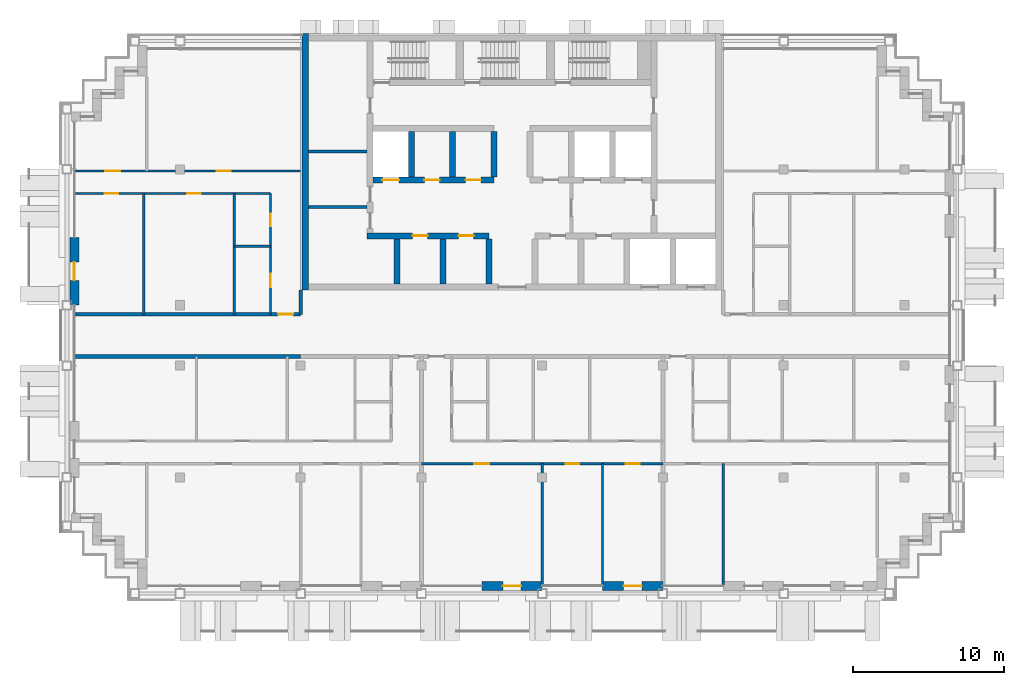
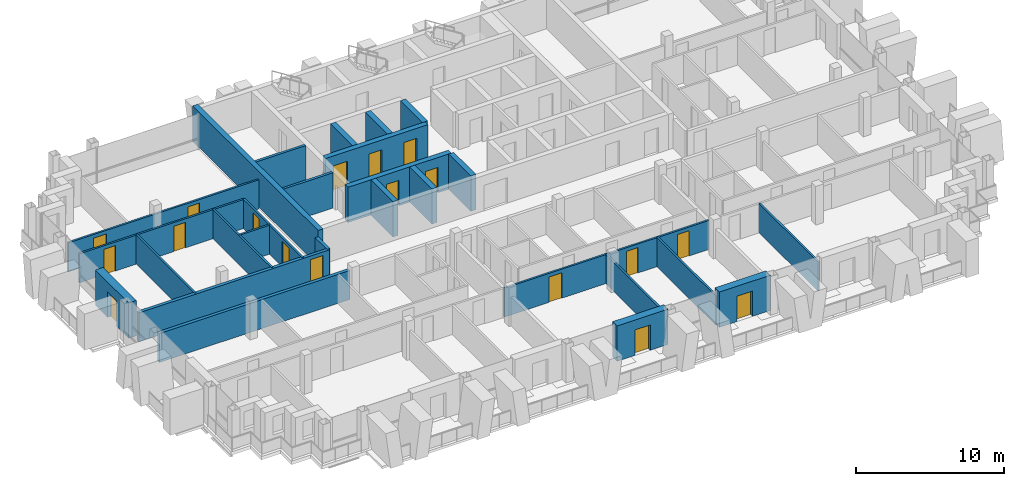
# One storey, part 8 of 15: 27 walls, 18 doors, 18 openings.
"""IFC4 building model written with IfcOpenShell, lengths in metres."""

from ifc_helpers import new_model, si_unit, direction, frame, frame_2d, origin, place, context, subcontext, project, spatial, rectangle, extrude, material, layer, layer_set, type_object, element, fill, save


model = new_model("IFC4")

# Units and contexts
model_context = context("Model", 3, precision=1e-05, world=origin(), true_north=direction((0.0, 1.0)))
body_context = subcontext(model_context, "Body", "Model", "MODEL_VIEW")
ifc_project = project(units=[si_unit("LENGTHUNIT", "METRE"), si_unit("AREAUNIT", "SQUARE_METRE"), si_unit("VOLUMEUNIT", "CUBIC_METRE"), si_unit("PLANEANGLEUNIT", "RADIAN"), si_unit("MASSUNIT", "GRAM", prefix="KILO")], contexts=[model_context])

# Site, building, storey
site_placement = place(None, origin())
site = spatial("IfcSite", under=ifc_project, at=site_placement, CompositionType="ELEMENT")
building_placement = place(site_placement, origin())
building = spatial("IfcBuilding", under=site, at=building_placement, Name="Vidyagriha Tower", CompositionType="ELEMENT")
storey_placement = place(building_placement, frame((0.0, 0.0, 226.800048828125)))
storey = spatial("IfcBuildingStorey", under=building, at=storey_placement, Name="L59", CompositionType="ELEMENT", Elevation=226.800048828125)

# Wall, opening, door
ifc_material_1 = material(Name="Precast concrete C40/50 with brick facing", Category="concrete")
ifc_layer_1 = layer(ifc_material_1, 0.60009765625)
ifc_layer_set_1 = layer_set([ifc_layer_1], Name="Precast concrete C40/50 with brick facing")
wall_type_1 = type_object("IfcWallType", Name="Brick-faced precast wall 600", PredefinedType="STANDARD", material=ifc_layer_set_1)
wall_1_placement = place(storey_placement, frame((-29.0, 6.5, 0.0), z_axis=(0.0, 0.0, 1.0), x_axis=(0.0, -1.0, 0.0)))
wall_1 = element("IfcWall", 1, at=wall_1_placement, inside=storey, type_object=wall_type_1, Name="Brick door bay wall L59 R16.3", PredefinedType="STANDARD", context=body_context, shape_type="SweptSolid", body=[
    extrude(rectangle(XDim=4.5, YDim=0.60009765625, at=frame_2d((2.25, 0.0))), origin(), (0.0, 0.0, 1.0), 2.919921875),
])
opening_1_placement = place(wall_1_placement, frame((1.64990234375, 0.0, 0.0)))
opening_1 = element("IfcOpeningElement", 2, at=opening_1_placement, cuts=wall_1, Name="Opening D59-60", PredefinedType="OPENING", context=body_context, shape_type="SweptSolid", body=[
    extrude(rectangle(XDim=1.199951171875, YDim=2.10009765625, at=frame_2d((0.60009765625, 1.050048828125))), frame((0.0, 0.31005859375, 0.0), z_axis=(0.0, -1.0, 0.0), x_axis=(1.0, 0.0, 0.0)), (0.0, 0.0, 1.0), 0.6201171875),
])
ifc_material_2 = material(Name="Aluminium framed glazed sliding door", Category="aluminium")
door_type_1 = type_object("IfcDoorType", Name="Balcony sliding door 1200x2100", OperationType="NOTDEFINED", PredefinedType="DOOR", material=ifc_material_2)
door_1_placement = place(opening_1_placement, origin())
door_1 = element("IfcDoor", 3, at=door_1_placement, inside=storey, type_object=door_type_1, Name="Door D59-60", OperationType="SLIDING_TO_LEFT", OverallHeight=2.10009765625, OverallWidth=1.199951171875, PredefinedType="DOOR", context=body_context, shape_type="SweptSolid", body=[
    extrude(rectangle(XDim=1.199951171875, YDim=2.10009765625, at=frame_2d((0.60009765625, 1.050048828125))), frame((0.0, 0.02490234375, 0.0), z_axis=(0.0, -1.0, 0.0), x_axis=(1.0, 0.0, 0.0)), (0.0, 0.0, 1.0), 0.050048828125),
])
fill(opening_1, door_1)

wall_2_placement = place(storey_placement, frame((-2.0, -16.60009765625, 0.0)))
wall_2 = element("IfcWall", 4, at=wall_2_placement, inside=storey, type_object=wall_type_1, Name="Brick door bay wall L59 R23.7", PredefinedType="STANDARD", context=body_context, shape_type="SweptSolid", body=[
    extrude(rectangle(XDim=4.0, YDim=0.60009765625, at=frame_2d((2.0, 0.0))), origin(), (0.0, 0.0, 1.0), 2.919921875),
])
opening_2_placement = place(wall_2_placement, frame((1.39990234375, 0.0, 0.0)))
opening_2 = element("IfcOpeningElement", 5, at=opening_2_placement, cuts=wall_2, Name="Opening D59-64", PredefinedType="OPENING", context=body_context, shape_type="SweptSolid", body=[
    extrude(rectangle(XDim=1.199951171875, YDim=2.10009765625, at=frame_2d((0.60009765625, 1.050048828125))), frame((0.0, 0.31005859375, 0.0), z_axis=(0.0, -1.0, 0.0), x_axis=(1.0, 0.0, 0.0)), (0.0, 0.0, 1.0), 0.6201171875),
])
door_2_placement = place(opening_2_placement, origin())
door_2 = element("IfcDoor", 6, at=door_2_placement, inside=storey, type_object=door_type_1, Name="Door D59-64", OperationType="SLIDING_TO_LEFT", OverallHeight=2.10009765625, OverallWidth=1.199951171875, PredefinedType="DOOR", context=body_context, shape_type="SweptSolid", body=[
    extrude(rectangle(XDim=1.199951171875, YDim=2.10009765625, at=frame_2d((0.60009765625, 1.050048828125))), frame((0.0, 0.02490234375, 0.0), z_axis=(0.0, -1.0, 0.0), x_axis=(1.0, 0.0, 0.0)), (0.0, 0.0, 1.0), 0.050048828125),
])
fill(opening_2, door_2)

wall_3_placement = place(storey_placement, frame((6.0, -16.60009765625, 0.0)))
wall_3 = element("IfcWall", 7, at=wall_3_placement, inside=storey, type_object=wall_type_1, Name="Brick door bay wall L59 R23.9", PredefinedType="STANDARD", context=body_context, shape_type="SweptSolid", body=[
    extrude(rectangle(XDim=4.0, YDim=0.60009765625, at=frame_2d((2.0, 0.0))), origin(), (0.0, 0.0, 1.0), 2.919921875),
])
opening_3_placement = place(wall_3_placement, frame((1.39990234375, 0.0, 0.0)))
opening_3 = element("IfcOpeningElement", 8, at=opening_3_placement, cuts=wall_3, Name="Opening D59-65", PredefinedType="OPENING", context=body_context, shape_type="SweptSolid", body=[
    extrude(rectangle(XDim=1.199951171875, YDim=2.10009765625, at=frame_2d((0.60009765625, 1.050048828125))), frame((0.0, 0.31005859375, 0.0), z_axis=(0.0, -1.0, 0.0), x_axis=(1.0, 0.0, 0.0)), (0.0, 0.0, 1.0), 0.6201171875),
])
door_3_placement = place(opening_3_placement, origin())
door_3 = element("IfcDoor", 9, at=door_3_placement, inside=storey, type_object=door_type_1, Name="Door D59-65", OperationType="SLIDING_TO_LEFT", OverallHeight=2.10009765625, OverallWidth=1.199951171875, PredefinedType="DOOR", context=body_context, shape_type="SweptSolid", body=[
    extrude(rectangle(XDim=1.199951171875, YDim=2.10009765625, at=frame_2d((0.60009765625, 1.050048828125))), frame((0.0, 0.02490234375, 0.0), z_axis=(0.0, -1.0, 0.0), x_axis=(1.0, 0.0, 0.0)), (0.0, 0.0, 1.0), 0.050048828125),
])
fill(opening_3, door_3)

# Wall
ifc_material_3 = material(Name="Concrete C60/75", Category="concrete")
ifc_layer_2 = layer(ifc_material_3, 0.39990234375)
ifc_layer_set_2 = layer_set([ifc_layer_2], Name="Concrete C60/75")
wall_type_2 = type_object("IfcWallType", Name="Core shear wall 400 mm", PredefinedType="SHEAR", material=ifc_layer_set_2)
wall_4_placement = place(storey_placement, frame((-13.699951171875, 3.0, 0.0), z_axis=(0.0, 0.0, 1.0), x_axis=(0.0, 1.0, 0.0)))
element("IfcWall", 10, at=wall_4_placement, inside=storey, type_object=wall_type_2, Name="Core west wall", PredefinedType="SHEAR", context=body_context, shape_type="SweptSolid", body=[
    extrude(rectangle(XDim=17.0, YDim=0.39990234375, at=frame_2d((8.5, 0.0))), origin(), (0.0, 0.0, 1.0), 2.919921875),
])

# Wall, openings, doors
wall_5_placement = place(storey_placement, frame((-9.60009765625, 6.60009765625, 0.0)))
wall_5 = element("IfcWall", 11, at=wall_5_placement, inside=storey, type_object=wall_type_2, Name="Core lobby south wall west", PredefinedType="SHEAR", context=body_context, shape_type="SweptSolid", body=[
    extrude(rectangle(XDim=8.077880859375, YDim=0.39990234375, at=frame_2d((4.0390625, 0.0))), origin(), (0.0, 0.0, 1.0), 2.919921875),
])
opening_4_placement = place(wall_5_placement, frame((3.010986328125, 0.0, 0.0)))
opening_4 = element("IfcOpeningElement", 12, at=opening_4_placement, cuts=wall_5, Name="Opening D59-02", PredefinedType="OPENING", context=body_context, shape_type="SweptSolid", body=[
    extrude(rectangle(XDim=1.0, YDim=2.10009765625, at=frame_2d((0.5, 1.050048828125))), frame((0.0, 0.2099609375, 0.0), z_axis=(0.0, -1.0, 0.0), x_axis=(1.0, 0.0, 0.0)), (0.0, 0.0, 1.0), 0.419921875),
])
opening_5_placement = place(wall_5_placement, frame((6.0556640625, 0.0, 0.0)))
opening_5 = element("IfcOpeningElement", 13, at=opening_5_placement, cuts=wall_5, Name="Opening D59-03", PredefinedType="OPENING", context=body_context, shape_type="SweptSolid", body=[
    extrude(rectangle(XDim=1.0, YDim=2.10009765625, at=frame_2d((0.5, 1.050048828125))), frame((0.0, 0.2099609375, 0.0), z_axis=(0.0, -1.0, 0.0), x_axis=(1.0, 0.0, 0.0)), (0.0, 0.0, 1.0), 0.419921875),
])
ifc_material_4 = material(Name="Hollow metal door leaf")
door_type_2 = type_object("IfcDoorType", Name="Core room door 1000 x 2100 mm EI 60", OperationType="NOTDEFINED", PredefinedType="DOOR", material=ifc_material_4)
door_4_placement = place(opening_4_placement, origin())
door_4 = element("IfcDoor", 14, at=door_4_placement, inside=storey, type_object=door_type_2, Name="Door Switchgear Room 59.01", OperationType="SINGLE_SWING_RIGHT", OverallHeight=2.10009765625, OverallWidth=1.0, PredefinedType="DOOR", context=body_context, shape_type="SweptSolid", body=[
    extrude(rectangle(XDim=1.0, YDim=2.10009765625, at=frame_2d((0.5, 1.050048828125))), frame((0.0, 0.02490234375, 0.0), z_axis=(0.0, -1.0, 0.0), x_axis=(1.0, 0.0, 0.0)), (0.0, 0.0, 1.0), 0.050048828125),
])
fill(opening_4, door_4)
door_5_placement = place(opening_5_placement, origin())
door_5 = element("IfcDoor", 15, at=door_5_placement, inside=storey, type_object=door_type_2, Name="Door Storage Room 59.02", OperationType="SINGLE_SWING_RIGHT", OverallHeight=2.10009765625, OverallWidth=1.0, PredefinedType="DOOR", context=body_context, shape_type="SweptSolid", body=[
    extrude(rectangle(XDim=1.0, YDim=2.10009765625, at=frame_2d((0.5, 1.050048828125))), frame((0.0, 0.02490234375, 0.0), z_axis=(0.0, -1.0, 0.0), x_axis=(1.0, 0.0, 0.0)), (0.0, 0.0, 1.0), 0.050048828125),
])
fill(opening_5, door_5)

# Walls
for number, where, z_axis, x_axis, name in (
    (16, (-7.611083984375, 3.39990234375, 0.0), (0.0, 0.0, 1.0), (0.0, 1.0, 0.0), "Core bay wall S2"),
    (17, (-4.566650390625, 3.39990234375, 0.0), (0.0, 0.0, 1.0), (0.0, 1.0, 0.0), "Core bay wall S3"),
    (18, (-1.522216796875, 3.39990234375, 0.0), (0.0, 0.0, 1.0), (0.0, 1.0, 0.0), "Core bay wall S4"),
):
    element("IfcWall", number, at=place(storey_placement, frame(where, z_axis=z_axis, x_axis=x_axis)), inside=storey, type_object=wall_type_2, Name=name, PredefinedType="SHEAR", context=body_context, shape_type="SweptSolid", body=[
        extrude(rectangle(XDim=3.0, YDim=0.39990234375, at=frame_2d((1.5, 0.0))), origin(), (0.0, 0.0, 1.0), 2.919921875),
    ])

# Wall, openings, doors
wall_6_placement = place(storey_placement, frame((-9.199951171875, 10.300048828125, 0.0)))
wall_6 = element("IfcWall", 19, at=wall_6_placement, inside=storey, type_object=wall_type_2, Name="Core row N front wall", PredefinedType="SHEAR", context=body_context, shape_type="SweptSolid", body=[
    extrude(rectangle(XDim=8.0, YDim=0.39990234375, at=frame_2d((4.0, 0.0))), origin(), (0.0, 0.0, 1.0), 2.919921875),
])
opening_6_placement = place(wall_6_placement, frame((0.61669921875, 0.0, 0.0)))
opening_6 = element("IfcOpeningElement", 20, at=opening_6_placement, cuts=wall_6, Name="Opening LD59-03", PredefinedType="OPENING", context=body_context, shape_type="SweptSolid", body=[
    extrude(rectangle(XDim=1.10009765625, YDim=2.10009765625, at=frame_2d((0.550048828125, 1.050048828125))), frame((0.0, 0.2099609375, 0.0), z_axis=(0.0, -1.0, 0.0), x_axis=(1.0, 0.0, 0.0)), (0.0, 0.0, 1.0), 0.419921875),
])
opening_7_placement = place(wall_6_placement, frame((3.39990234375, 0.0, 0.0)))
opening_7 = element("IfcOpeningElement", 21, at=opening_7_placement, cuts=wall_6, Name="Opening D59-06", PredefinedType="OPENING", context=body_context, shape_type="SweptSolid", body=[
    extrude(rectangle(XDim=1.0, YDim=2.10009765625, at=frame_2d((0.5, 1.050048828125))), frame((0.0, 0.2099609375, 0.0), z_axis=(0.0, -1.0, 0.0), x_axis=(1.0, 0.0, 0.0)), (0.0, 0.0, 1.0), 0.419921875),
])
opening_8_placement = place(wall_6_placement, frame((6.13330078125, 0.0, 0.0)))
opening_8 = element("IfcOpeningElement", 22, at=opening_8_placement, cuts=wall_6, Name="Opening D59-07", PredefinedType="OPENING", context=body_context, shape_type="SweptSolid", body=[
    extrude(rectangle(XDim=1.0, YDim=2.10009765625, at=frame_2d((0.5, 1.050048828125))), frame((0.0, 0.2099609375, 0.0), z_axis=(0.0, -1.0, 0.0), x_axis=(1.0, 0.0, 0.0)), (0.0, 0.0, 1.0), 0.419921875),
])
door_6_placement = place(opening_7_placement, frame((1.0, 0.0, 0.0), z_axis=(0.0, 0.0, 1.0), x_axis=(-1.0, 0.0, 0.0)))
door_6 = element("IfcDoor", 23, at=door_6_placement, inside=storey, type_object=door_type_2, Name="Door Pressurisation Plant Room 59.14", OperationType="SINGLE_SWING_RIGHT", OverallHeight=2.10009765625, OverallWidth=1.0, PredefinedType="DOOR", context=body_context, shape_type="SweptSolid", body=[
    extrude(rectangle(XDim=1.0, YDim=2.10009765625, at=frame_2d((0.5, 1.050048828125))), frame((0.0, 0.02490234375, 0.0), z_axis=(0.0, -1.0, 0.0), x_axis=(1.0, 0.0, 0.0)), (0.0, 0.0, 1.0), 0.050048828125),
])
fill(opening_7, door_6)
door_7_placement = place(opening_8_placement, frame((1.0, 0.0, 0.0), z_axis=(0.0, 0.0, 1.0), x_axis=(-1.0, 0.0, 0.0)))
door_7 = element("IfcDoor", 24, at=door_7_placement, inside=storey, type_object=door_type_2, Name="Door Switchgear Room 59.15", OperationType="SINGLE_SWING_LEFT", OverallHeight=2.10009765625, OverallWidth=1.0, PredefinedType="DOOR", context=body_context, shape_type="SweptSolid", body=[
    extrude(rectangle(XDim=1.0, YDim=2.10009765625, at=frame_2d((0.5, 1.050048828125))), frame((0.0, 0.02490234375, 0.0), z_axis=(0.0, -1.0, 0.0), x_axis=(1.0, 0.0, 0.0)), (0.0, 0.0, 1.0), 0.050048828125),
])
fill(opening_8, door_7)
ifc_material_5 = material(Name="Stainless steel sliding door panel", Category="steel")
door_type_3 = type_object("IfcDoorType", Name="Lift landing door 1100 x 2100 mm EI 90", OperationType="NOTDEFINED", PredefinedType="DOOR", material=ifc_material_5)
door_8_placement = place(opening_6_placement, origin())
door_8 = element("IfcDoor", 25, at=door_8_placement, inside=storey, type_object=door_type_3, Name="Landing door MR3 L59", OperationType="SLIDING_TO_LEFT", OverallHeight=2.10009765625, OverallWidth=1.10009765625, PredefinedType="DOOR", context=body_context, shape_type="SweptSolid", body=[
    extrude(rectangle(XDim=1.10009765625, YDim=2.10009765625, at=frame_2d((0.550048828125, 1.050048828125))), frame((0.0, 0.02490234375, 0.0), z_axis=(0.0, -1.0, 0.0), x_axis=(1.0, 0.0, 0.0)), (0.0, 0.0, 1.0), 0.050048828125),
])
fill(opening_6, door_8)

# Walls
for number, where, z_axis, x_axis, name in (
    (26, (-6.666748046875, 10.5, 0.0), (0.0, 0.0, 1.0), (0.0, 1.0, 0.0), "Core bay wall N1"),
    (27, (-3.933349609375, 10.5, 0.0), (0.0, 0.0, 1.0), (0.0, 1.0, 0.0), "Core bay wall N2"),
    (28, (-1.199951171875, 10.5, 0.0), (0.0, 0.0, 1.0), (0.0, 1.0, 0.0), "Core bay wall N3"),
):
    element("IfcWall", number, at=place(storey_placement, frame(where, z_axis=z_axis, x_axis=x_axis)), inside=storey, type_object=wall_type_2, Name=name, PredefinedType="SHEAR", context=body_context, shape_type="SweptSolid", body=[
        extrude(rectangle(XDim=3.0, YDim=0.39990234375, at=frame_2d((1.5, 0.0))), origin(), (0.0, 0.0, 1.0), 2.919921875),
    ])
ifc_material_6 = material(Name="Fired clay brick masonry", Category="masonry")
ifc_layer_3 = layer(ifc_material_6, 0.25)
ifc_layer_set_3 = layer_set([ifc_layer_3], Name="Fired clay brick masonry")
wall_type_3 = type_object("IfcWallType", Name="Fired clay brick corridor wall 250", PredefinedType="PARTITIONING", material=ifc_layer_set_3)
wall_7_placement = place(storey_placement, frame((-14.0, -1.39990234375, 0.0), z_axis=(0.0, 0.0, 1.0), x_axis=(-1.0, 0.0, 0.0)))
element("IfcWall", 29, at=wall_7_placement, inside=storey, type_object=wall_type_3, Name="Wall all-L59-w059", PredefinedType="PARTITIONING", context=body_context, shape_type="SweptSolid", body=[
    extrude(rectangle(XDim=14.919921875, YDim=0.25, at=frame_2d((7.4599609375, 0.0))), origin(), (0.0, 0.0, 1.0), 2.39990234375),
])

# Wall, opening, door
wall_8_placement = place(storey_placement, frame((-28.919921875, 1.39990234375, 0.0)))
wall_8 = element("IfcWall", 30, at=wall_8_placement, inside=storey, type_object=wall_type_3, Name="Wall all-L59-w075", PredefinedType="PARTITIONING", context=body_context, shape_type="SweptSolid", body=[
    extrude(rectangle(XDim=14.919921875, YDim=0.25, at=frame_2d((7.4599609375, 0.0))), origin(), (0.0, 0.0, 1.0), 2.39990234375),
])
opening_9_placement = place(wall_8_placement, frame((13.419921875, 0.0, 0.0)))
opening_9 = element("IfcOpeningElement", 31, at=opening_9_placement, cuts=wall_8, Name="Opening D59-52", PredefinedType="OPENING", context=body_context, shape_type="SweptSolid", body=[
    extrude(rectangle(XDim=1.0, YDim=2.10009765625, at=frame_2d((0.5, 1.050048828125))), frame((0.0, 0.135009765625, 0.0), z_axis=(0.0, -1.0, 0.0), x_axis=(1.0, 0.0, 0.0)), (0.0, 0.0, 1.0), 0.27001953125),
])
ifc_material_7 = material(Name="Fire-rated timber door leaf EI 60", Category="wood")
door_type_4 = type_object("IfcDoorType", Name="Flat entrance fire door 1000x2100", OperationType="NOTDEFINED", PredefinedType="DOOR", material=ifc_material_7)
door_9_placement = place(opening_9_placement, origin())
door_9 = element("IfcDoor", 32, at=door_9_placement, inside=storey, type_object=door_type_4, Name="Door D59-52", OperationType="SINGLE_SWING_RIGHT", OverallHeight=2.10009765625, OverallWidth=1.0, PredefinedType="DOOR", context=body_context, shape_type="SweptSolid", body=[
    extrude(rectangle(XDim=1.0, YDim=2.10009765625, at=frame_2d((0.5, 1.050048828125))), frame((0.0, 0.02490234375, 0.0), z_axis=(0.0, -1.0, 0.0), x_axis=(1.0, 0.0, 0.0)), (0.0, 0.0, 1.0), 0.050048828125),
])
fill(opening_9, door_9)

# Wall
wall_9_placement = place(storey_placement, frame((-14.0, 3.0, 0.0), z_axis=(0.0, 0.0, 1.0), x_axis=(0.0, -1.0, 0.0)))
element("IfcWall", 33, at=wall_9_placement, inside=storey, type_object=wall_type_3, Name="Wall all-L59-w092", PredefinedType="PARTITIONING", context=body_context, shape_type="SweptSolid", body=[
    extrude(rectangle(XDim=1.60009765625, YDim=0.25, at=frame_2d((0.800048828125, 0.0))), origin(), (0.0, 0.0, 1.0), 2.39990234375),
])

# Wall, openings, doors
ifc_material_8 = material(Name="Gypsum board partition")
ifc_layer_4 = layer(ifc_material_8, 0.14990234375)
ifc_layer_set_4 = layer_set([ifc_layer_4], Name="Gypsum board partition")
wall_type_4 = type_object("IfcWallType", Name="Gypsum board partition 150", PredefinedType="PARTITIONING", material=ifc_layer_set_4)
wall_10_placement = place(storey_placement, frame((10.0, -8.5, 0.0), z_axis=(0.0, 0.0, 1.0), x_axis=(-1.0, 0.0, 0.0)))
wall_10 = element("IfcWall", 34, at=wall_10_placement, inside=storey, type_object=wall_type_4, Name="Wall all-L59-w032", PredefinedType="PARTITIONING", context=body_context, shape_type="SweptSolid", body=[
    extrude(rectangle(XDim=16.0, YDim=0.14990234375, at=frame_2d((8.0, 0.0))), origin(), (0.0, 0.0, 1.0), 2.39990234375),
])
opening_10_placement = place(wall_10_placement, frame((11.5, 0.0, 0.0)))
opening_10 = element("IfcOpeningElement", 35, at=opening_10_placement, cuts=wall_10, Name="Opening D59-33", PredefinedType="OPENING", context=body_context, shape_type="SweptSolid", body=[
    extrude(rectangle(XDim=1.0, YDim=2.10009765625, at=frame_2d((0.5, 1.050048828125))), frame((0.0, 0.0849609375, 0.0), z_axis=(0.0, -1.0, 0.0), x_axis=(1.0, 0.0, 0.0)), (0.0, 0.0, 1.0), 0.169921875),
])
opening_11_placement = place(wall_10_placement, frame((5.550048828125, 0.0, 0.0)))
opening_11 = element("IfcOpeningElement", 36, at=opening_11_placement, cuts=wall_10, Name="Opening D59-34", PredefinedType="OPENING", context=body_context, shape_type="SweptSolid", body=[
    extrude(rectangle(XDim=0.89990234375, YDim=2.10009765625, at=frame_2d((0.449951171875, 1.050048828125))), frame((0.0, 0.0849609375, 0.0), z_axis=(0.0, -1.0, 0.0), x_axis=(1.0, 0.0, 0.0)), (0.0, 0.0, 1.0), 0.169921875),
])
opening_12_placement = place(wall_10_placement, frame((1.550048828125, 0.0, 0.0)))
opening_12 = element("IfcOpeningElement", 37, at=opening_12_placement, cuts=wall_10, Name="Opening D59-35", PredefinedType="OPENING", context=body_context, shape_type="SweptSolid", body=[
    extrude(rectangle(XDim=0.89990234375, YDim=2.10009765625, at=frame_2d((0.449951171875, 1.050048828125))), frame((0.0, 0.0849609375, 0.0), z_axis=(0.0, -1.0, 0.0), x_axis=(1.0, 0.0, 0.0)), (0.0, 0.0, 1.0), 0.169921875),
])
ifc_material_9 = material(Name="Timber door leaf", Category="wood")
door_type_5 = type_object("IfcDoorType", Name="Room door 1000x2100", OperationType="NOTDEFINED", PredefinedType="DOOR", material=ifc_material_9)
door_10_placement = place(opening_10_placement, origin())
door_10 = element("IfcDoor", 38, at=door_10_placement, inside=storey, type_object=door_type_5, Name="Door D59-33", OperationType="SINGLE_SWING_RIGHT", OverallHeight=2.10009765625, OverallWidth=1.0, PredefinedType="DOOR", context=body_context, shape_type="SweptSolid", body=[
    extrude(rectangle(XDim=1.0, YDim=2.10009765625, at=frame_2d((0.5, 1.050048828125))), frame((0.0, 0.02490234375, 0.0), z_axis=(0.0, -1.0, 0.0), x_axis=(1.0, 0.0, 0.0)), (0.0, 0.0, 1.0), 0.050048828125),
])
fill(opening_10, door_10)
ifc_material_10 = material(Name="Timber door leaf", Category="wood")
door_type_6 = type_object("IfcDoorType", Name="Room door 900x2100", OperationType="NOTDEFINED", PredefinedType="DOOR", material=ifc_material_10)
door_11_placement = place(opening_11_placement, origin())
door_11 = element("IfcDoor", 39, at=door_11_placement, inside=storey, type_object=door_type_6, Name="Door D59-34", OperationType="SINGLE_SWING_RIGHT", OverallHeight=2.10009765625, OverallWidth=0.89990234375, PredefinedType="DOOR", context=body_context, shape_type="SweptSolid", body=[
    extrude(rectangle(XDim=0.89990234375, YDim=2.10009765625, at=frame_2d((0.449951171875, 1.050048828125))), frame((0.0, 0.02490234375, 0.0), z_axis=(0.0, -1.0, 0.0), x_axis=(1.0, 0.0, 0.0)), (0.0, 0.0, 1.0), 0.050048828125),
])
fill(opening_11, door_11)
door_12_placement = place(opening_12_placement, origin())
door_12 = element("IfcDoor", 40, at=door_12_placement, inside=storey, type_object=door_type_6, Name="Door D59-35", OperationType="SINGLE_SWING_RIGHT", OverallHeight=2.10009765625, OverallWidth=0.89990234375, PredefinedType="DOOR", context=body_context, shape_type="SweptSolid", body=[
    extrude(rectangle(XDim=0.89990234375, YDim=2.10009765625, at=frame_2d((0.449951171875, 1.050048828125))), frame((0.0, 0.02490234375, 0.0), z_axis=(0.0, -1.0, 0.0), x_axis=(1.0, 0.0, 0.0)), (0.0, 0.0, 1.0), 0.050048828125),
])
fill(opening_12, door_12)

# Walls
wall_11_placement = place(storey_placement, frame((2.0, -8.5, 0.0), z_axis=(0.0, 0.0, 1.0), x_axis=(0.0, -1.0, 0.0)))
element("IfcWall", 41, at=wall_11_placement, inside=storey, type_object=wall_type_4, Name="Wall all-L59-w036", PredefinedType="PARTITIONING", context=body_context, shape_type="SweptSolid", body=[
    extrude(rectangle(XDim=8.010009765625, YDim=0.14990234375, at=frame_2d((4.0048828125, 0.0))), origin(), (0.0, 0.0, 1.0), 2.39990234375),
])
for number, where, z_axis, x_axis, name in (
    (42, (6.0, -8.5, 0.0), (0.0, 0.0, 1.0), (0.0, -1.0, 0.0), "Wall all-L59-w037"),
    (43, (14.0, -8.5, 0.0), (0.0, 0.0, 1.0), (0.0, -1.0, 0.0), "Wall all-L59-w055"),
):
    element("IfcWall", number, at=place(storey_placement, frame(where, z_axis=z_axis, x_axis=x_axis)), inside=storey, type_object=wall_type_4, Name=name, PredefinedType="PARTITIONING", context=body_context, shape_type="SweptSolid", body=[
        extrude(rectangle(XDim=8.02099609375, YDim=0.14990234375, at=frame_2d((4.010498046875, 0.0))), origin(), (0.0, 0.0, 1.0), 2.39990234375),
    ])
wall_12_placement = place(storey_placement, frame((-18.39990234375, 5.89990234375, 0.0)))
element("IfcWall", 44, at=wall_12_placement, inside=storey, type_object=wall_type_4, Name="Wall all-L59-w064", PredefinedType="PARTITIONING", context=body_context, shape_type="SweptSolid", body=[
    extrude(rectangle(XDim=2.39990234375, YDim=0.14990234375, at=frame_2d((1.199951171875, 0.0))), origin(), (0.0, 0.0, 1.0), 2.39990234375),
])
for number, where, z_axis, x_axis, name in (
    (45, (-18.39990234375, 1.39990234375, 0.0), (0.0, 0.0, 1.0), (0.0, 1.0, 0.0), "Wall all-L59-w065"),
    (46, (-24.39990234375, 1.39990234375, 0.0), (0.0, 0.0, 1.0), (0.0, 1.0, 0.0), "Wall all-L59-w066"),
):
    element("IfcWall", number, at=place(storey_placement, frame(where, z_axis=z_axis, x_axis=x_axis)), inside=storey, type_object=wall_type_4, Name=name, PredefinedType="PARTITIONING", context=body_context, shape_type="SweptSolid", body=[
        extrude(rectangle(XDim=8.0, YDim=0.14990234375, at=frame_2d((4.0, 0.0))), origin(), (0.0, 0.0, 1.0), 2.39990234375),
    ])

# Wall, openings, doors
wall_13_placement = place(storey_placement, frame((-16.0, 9.39990234375, 0.0), z_axis=(0.0, 0.0, 1.0), x_axis=(-1.0, 0.0, 0.0)))
wall_13 = element("IfcWall", 47, at=wall_13_placement, inside=storey, type_object=wall_type_4, Name="Wall all-L59-w067", PredefinedType="PARTITIONING", context=body_context, shape_type="SweptSolid", body=[
    extrude(rectangle(XDim=12.919921875, YDim=0.14990234375, at=frame_2d((6.4599609375, 0.0))), origin(), (0.0, 0.0, 1.0), 2.39990234375),
])
opening_13_placement = place(wall_13_placement, frame((4.6240234375, 0.0, 0.0)))
opening_13 = element("IfcOpeningElement", 48, at=opening_13_placement, cuts=wall_13, Name="Opening D59-48", PredefinedType="OPENING", context=body_context, shape_type="SweptSolid", body=[
    extrude(rectangle(XDim=0.89990234375, YDim=2.10009765625, at=frame_2d((0.449951171875, 1.050048828125))), frame((0.0, 0.0849609375, 0.0), z_axis=(0.0, -1.0, 0.0), x_axis=(1.0, 0.0, 0.0)), (0.0, 0.0, 1.0), 0.169921875),
])
opening_14_placement = place(wall_13_placement, frame((10.10009765625, 0.0, 0.0)))
opening_14 = element("IfcOpeningElement", 49, at=opening_14_placement, cuts=wall_13, Name="Opening D59-49", PredefinedType="OPENING", context=body_context, shape_type="SweptSolid", body=[
    extrude(rectangle(XDim=0.89990234375, YDim=2.10009765625, at=frame_2d((0.449951171875, 1.050048828125))), frame((0.0, 0.0849609375, 0.0), z_axis=(0.0, -1.0, 0.0), x_axis=(1.0, 0.0, 0.0)), (0.0, 0.0, 1.0), 0.169921875),
])
door_13_placement = place(opening_13_placement, origin())
door_13 = element("IfcDoor", 50, at=door_13_placement, inside=storey, type_object=door_type_6, Name="Door D59-48", OperationType="SINGLE_SWING_LEFT", OverallHeight=2.10009765625, OverallWidth=0.89990234375, PredefinedType="DOOR", context=body_context, shape_type="SweptSolid", body=[
    extrude(rectangle(XDim=0.89990234375, YDim=2.10009765625, at=frame_2d((0.449951171875, 1.050048828125))), frame((0.0, 0.02490234375, 0.0), z_axis=(0.0, -1.0, 0.0), x_axis=(1.0, 0.0, 0.0)), (0.0, 0.0, 1.0), 0.050048828125),
])
fill(opening_13, door_13)
door_14_placement = place(opening_14_placement, origin())
door_14 = element("IfcDoor", 51, at=door_14_placement, inside=storey, type_object=door_type_6, Name="Door D59-49", OperationType="SINGLE_SWING_RIGHT", OverallHeight=2.10009765625, OverallWidth=0.89990234375, PredefinedType="DOOR", context=body_context, shape_type="SweptSolid", body=[
    extrude(rectangle(XDim=0.89990234375, YDim=2.10009765625, at=frame_2d((0.449951171875, 1.050048828125))), frame((0.0, 0.02490234375, 0.0), z_axis=(0.0, -1.0, 0.0), x_axis=(1.0, 0.0, 0.0)), (0.0, 0.0, 1.0), 0.050048828125),
])
fill(opening_14, door_14)

wall_14_placement = place(storey_placement, frame((-28.919921875, 10.89990234375, 0.0)))
wall_14 = element("IfcWall", 52, at=wall_14_placement, inside=storey, type_object=wall_type_4, Name="Wall all-L59-w070", PredefinedType="PARTITIONING", context=body_context, shape_type="SweptSolid", body=[
    extrude(rectangle(XDim=14.919921875, YDim=0.14990234375, at=frame_2d((7.4599609375, 0.0))), origin(), (0.0, 0.0, 1.0), 2.39990234375),
])
opening_15_placement = place(wall_14_placement, frame((1.969970703125, 0.0, 0.0)))
opening_15 = element("IfcOpeningElement", 53, at=opening_15_placement, cuts=wall_14, Name="Opening D59-50", PredefinedType="OPENING", context=body_context, shape_type="SweptSolid", body=[
    extrude(rectangle(XDim=1.0, YDim=2.10009765625, at=frame_2d((0.5, 1.050048828125))), frame((0.0, 0.0849609375, 0.0), z_axis=(0.0, -1.0, 0.0), x_axis=(1.0, 0.0, 0.0)), (0.0, 0.0, 1.0), 0.169921875),
])
opening_16_placement = place(wall_14_placement, frame((9.3701171875, 0.0, 0.0)))
opening_16 = element("IfcOpeningElement", 54, at=opening_16_placement, cuts=wall_14, Name="Opening D59-51", PredefinedType="OPENING", context=body_context, shape_type="SweptSolid", body=[
    extrude(rectangle(XDim=0.89990234375, YDim=2.10009765625, at=frame_2d((0.449951171875, 1.050048828125))), frame((0.0, 0.0849609375, 0.0), z_axis=(0.0, -1.0, 0.0), x_axis=(1.0, 0.0, 0.0)), (0.0, 0.0, 1.0), 0.169921875),
])
door_15_placement = place(opening_15_placement, origin())
door_15 = element("IfcDoor", 55, at=door_15_placement, inside=storey, type_object=door_type_5, Name="Door D59-50", OperationType="SINGLE_SWING_RIGHT", OverallHeight=2.10009765625, OverallWidth=1.0, PredefinedType="DOOR", context=body_context, shape_type="SweptSolid", body=[
    extrude(rectangle(XDim=1.0, YDim=2.10009765625, at=frame_2d((0.5, 1.050048828125))), frame((0.0, 0.02490234375, 0.0), z_axis=(0.0, -1.0, 0.0), x_axis=(1.0, 0.0, 0.0)), (0.0, 0.0, 1.0), 0.050048828125),
])
fill(opening_15, door_15)
door_16_placement = place(opening_16_placement, origin())
door_16 = element("IfcDoor", 56, at=door_16_placement, inside=storey, type_object=door_type_6, Name="Door D59-51", OperationType="SINGLE_SWING_LEFT", OverallHeight=2.10009765625, OverallWidth=0.89990234375, PredefinedType="DOOR", context=body_context, shape_type="SweptSolid", body=[
    extrude(rectangle(XDim=0.89990234375, YDim=2.10009765625, at=frame_2d((0.449951171875, 1.050048828125))), frame((0.0, 0.02490234375, 0.0), z_axis=(0.0, -1.0, 0.0), x_axis=(1.0, 0.0, 0.0)), (0.0, 0.0, 1.0), 0.050048828125),
])
fill(opening_16, door_16)

ifc_material_11 = material(Name="Moisture resistant gypsum board partition")
ifc_layer_5 = layer(ifc_material_11, 0.14990234375)
ifc_layer_set_5 = layer_set([ifc_layer_5], Name="Moisture resistant gypsum board partition")
wall_type_5 = type_object("IfcWallType", Name="Gypsum board wet-area partition 150", PredefinedType="PARTITIONING", material=ifc_layer_set_5)
wall_15_placement = place(storey_placement, frame((-16.0, 1.39990234375, 0.0), z_axis=(0.0, 0.0, 1.0), x_axis=(0.0, 1.0, 0.0)))
wall_15 = element("IfcWall", 57, at=wall_15_placement, inside=storey, type_object=wall_type_5, Name="Wall all-L59-w061", PredefinedType="PARTITIONING", context=body_context, shape_type="SweptSolid", body=[
    extrude(rectangle(XDim=8.0, YDim=0.14990234375, at=frame_2d((4.0, 0.0))), origin(), (0.0, 0.0, 1.0), 2.39990234375),
])
opening_17_placement = place(wall_15_placement, frame((1.800048828125, 0.0, 0.0)))
opening_17 = element("IfcOpeningElement", 58, at=opening_17_placement, cuts=wall_15, Name="Opening D59-46", PredefinedType="OPENING", context=body_context, shape_type="SweptSolid", body=[
    extrude(rectangle(XDim=0.89990234375, YDim=2.10009765625, at=frame_2d((0.449951171875, 1.050048828125))), frame((0.0, 0.0849609375, 0.0), z_axis=(0.0, -1.0, 0.0), x_axis=(1.0, 0.0, 0.0)), (0.0, 0.0, 1.0), 0.169921875),
])
opening_18_placement = place(wall_15_placement, frame((5.85009765625, 0.0, 0.0)))
opening_18 = element("IfcOpeningElement", 59, at=opening_18_placement, cuts=wall_15, Name="Opening D59-47", PredefinedType="OPENING", context=body_context, shape_type="SweptSolid", body=[
    extrude(rectangle(XDim=0.800048828125, YDim=2.10009765625, at=frame_2d((0.39990234375, 1.050048828125))), frame((0.0, 0.0849609375, 0.0), z_axis=(0.0, -1.0, 0.0), x_axis=(1.0, 0.0, 0.0)), (0.0, 0.0, 1.0), 0.169921875),
])
ifc_material_12 = material(Name="Timber door leaf", Category="wood")
door_type_7 = type_object("IfcDoorType", Name="Bathroom door 800x2100", OperationType="NOTDEFINED", PredefinedType="DOOR", material=ifc_material_12)
door_17_placement = place(opening_18_placement, origin())
door_17 = element("IfcDoor", 60, at=door_17_placement, inside=storey, type_object=door_type_7, Name="Door D59-47", OperationType="SINGLE_SWING_RIGHT", OverallHeight=2.10009765625, OverallWidth=0.800048828125, PredefinedType="DOOR", context=body_context, shape_type="SweptSolid", body=[
    extrude(rectangle(XDim=0.800048828125, YDim=2.10009765625, at=frame_2d((0.39990234375, 1.050048828125))), frame((0.0, 0.02490234375, 0.0), z_axis=(0.0, -1.0, 0.0), x_axis=(1.0, 0.0, 0.0)), (0.0, 0.0, 1.0), 0.050048828125),
])
fill(opening_18, door_17)
ifc_material_13 = material(Name="Timber door leaf", Category="wood")
door_type_8 = type_object("IfcDoorType", Name="Kitchen door 900x2100", OperationType="NOTDEFINED", PredefinedType="DOOR", material=ifc_material_13)
door_18_placement = place(opening_17_placement, origin())
door_18 = element("IfcDoor", 61, at=door_18_placement, inside=storey, type_object=door_type_8, Name="Door D59-46", OperationType="SINGLE_SWING_LEFT", OverallHeight=2.10009765625, OverallWidth=0.89990234375, PredefinedType="DOOR", context=body_context, shape_type="SweptSolid", body=[
    extrude(rectangle(XDim=0.89990234375, YDim=2.10009765625, at=frame_2d((0.449951171875, 1.050048828125))), frame((0.0, 0.02490234375, 0.0), z_axis=(0.0, -1.0, 0.0), x_axis=(1.0, 0.0, 0.0)), (0.0, 0.0, 1.0), 0.050048828125),
])
fill(opening_17, door_18)

# Walls
ifc_material_14 = material(Name="Blockwork 15 MPa", Category="masonry")
ifc_layer_6 = layer(ifc_material_14, 0.199951171875)
ifc_layer_set_6 = layer_set([ifc_layer_6], Name="Blockwork 15 MPa")
wall_type_6 = type_object("IfcWallType", Name="Service room partition 200 mm", PredefinedType="PARTITIONING", material=ifc_layer_set_6)
for number, where, name in (
    (62, (-13.5, 8.5, 0.0), "Core room partition W1"),
    (63, (-13.5, 12.199951171875, 0.0), "Core room partition W2"),
):
    element("IfcWall", number, at=place(storey_placement, frame(where)), inside=storey, type_object=wall_type_6, Name=name, PredefinedType="PARTITIONING", context=body_context, shape_type="SweptSolid", body=[
        extrude(rectangle(XDim=3.89990234375, YDim=0.199951171875, at=frame_2d((1.949951171875, 0.0))), origin(), (0.0, 0.0, 1.0), 2.919921875),
    ])

save(model, "model.ifc")
